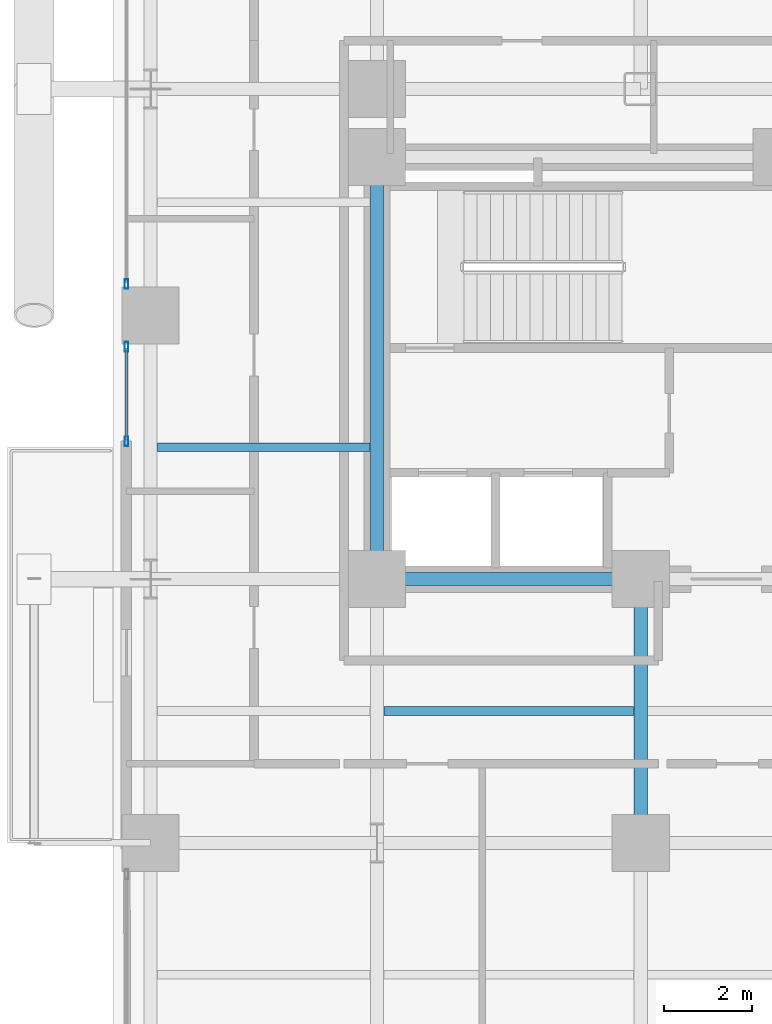
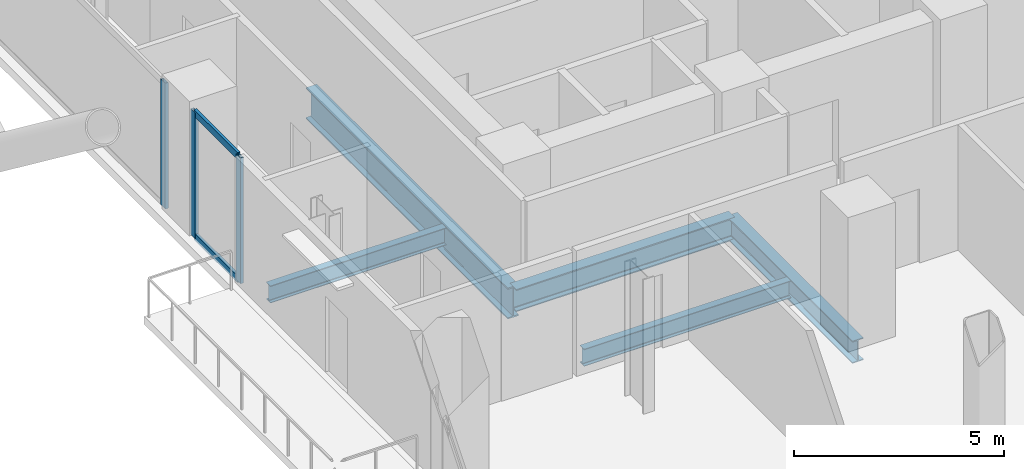
# One storey, part 5 of 25: 5 beams, 5 members, 2 elements without a shape of their own.
"""IFC4 building model written with IfcOpenShell, lengths in metres."""

from ifc_helpers import new_model, si_unit, direction, frame, origin, origin_2d, place, context, subcontext, project, spatial, hollow_rectangle, i_section, extrude, material, layer, layer_set, material_profile, profile_set, type_object, element, aggregate, save


model = new_model("IFC4")

# Units and contexts
model_context = context("Model", 3, precision=1e-05, world=origin(), true_north=direction((0.0, 1.0)))
body_context = subcontext(model_context, "Body", "Model", "MODEL_VIEW")
ifc_project = project(units=[si_unit("LENGTHUNIT", "METRE"), si_unit("AREAUNIT", "SQUARE_METRE"), si_unit("VOLUMEUNIT", "CUBIC_METRE"), si_unit("PLANEANGLEUNIT", "RADIAN"), si_unit("MASSUNIT", "GRAM", prefix="KILO"), si_unit("THERMODYNAMICTEMPERATUREUNIT", "KELVIN"), si_unit("POWERUNIT", "WATT")], contexts=[model_context])

# Site, building, storey
site_placement = place(None, origin())
site = spatial("IfcSite", under=ifc_project, at=site_placement, CompositionType="ELEMENT")
building_placement = place(site_placement, origin())
building = spatial("IfcBuilding", under=site, at=building_placement, Name="Svarakhadi Broadcast Tower", CompositionType="ELEMENT")
storey_placement = place(building_placement, frame((0.0, 0.0, 63.60009765625)))
storey = spatial("IfcBuildingStorey", under=building, at=storey_placement, Name="L14", CompositionType="ELEMENT", Elevation=63.60009765625)

# Beams
ifc_material_1 = material(Name="Steel S355J2 (IS 2062 E350C)", Category="steel")
ifc_material_profile_1 = material_profile(ifc_material_1, i_section(OverallWidth=0.199951171875, OverallDepth=0.5, WebThickness=0.01025390625, FlangeThickness=0.01611328125, FilletRadius=0.02099609375, at=origin_2d()), Name="NPB 500x200x91")
ifc_profile_set_1 = profile_set([ifc_material_profile_1], Name="Steel S355J2 (IS 2062 E350C)")
beam_type_1 = type_object("IfcBeamType", Name="Beam_NPB500", PredefinedType="BEAM", material=ifc_profile_set_1)
beam_1_placement = place(storey_placement, frame((1.010009765625, 21.0, -0.5), z_axis=(1.0, 0.0, 0.0), x_axis=(0.0, 1.0, 0.0)))
element("IfcBeam", 1, at=beam_1_placement, inside=storey, type_object=beam_type_1, Name="L14 Secondary Composite Beam SB003", PredefinedType="BEAM", context=body_context, shape_type="SweptSolid", body=[
    extrude(i_section(OverallWidth=0.199951171875, OverallDepth=0.5, WebThickness=0.01025390625, FlangeThickness=0.01611328125, FilletRadius=0.02099609375, at=origin_2d()), origin(), (0.0, 0.0, 1.0), 4.830078125),
])
beam_2_placement = place(storey_placement, frame((6.159912109375, 15.0, -0.5), z_axis=(1.0, 0.0, 0.0), x_axis=(0.0, 1.0, 0.0)))
element("IfcBeam", 2, at=beam_2_placement, inside=storey, type_object=beam_type_1, Name="L14 Secondary Composite Beam SB009", PredefinedType="BEAM", context=body_context, shape_type="SweptSolid", body=[
    extrude(i_section(OverallWidth=0.199951171875, OverallDepth=0.5, WebThickness=0.01025390625, FlangeThickness=0.01611328125, FilletRadius=0.02099609375, at=origin_2d()), origin(), (0.0, 0.0, 1.0), 5.68017578125),
])

# Curtain wall, members
ifc_material_2 = material(Name="Anodised Bronze Aluminium AA 6063-T6", Category="aluminium")
ifc_layer = layer(ifc_material_2, 0.219970703125)
ifc_layer_set = layer_set([ifc_layer], Name="Anodised Bronze Aluminium AA 6063-T6")
curtain_wall_type = type_object("IfcCurtainWallType", Name="CW_Sys_02", PredefinedType="NOTDEFINED", material=ifc_layer_set)
curtain_wall_1_placement = place(storey_placement, origin())
curtain_wall_1 = element("IfcCurtainWall", 3, at=curtain_wall_1_placement, inside=storey, type_object=curtain_wall_type, Name="L14 West Curtain Wall 03 Bay 1", PredefinedType="NOTDEFINED")
ifc_material_profile_2 = material_profile(ifc_material_2, hollow_rectangle(XDim=0.0849609375, YDim=0.219970703125, WallThickness=0.006103515625, at=origin_2d()), Name="ALU MULLION 220x85x6")
ifc_profile_set_2 = profile_set([ifc_material_profile_2], Name="Anodised Bronze Aluminium AA 6063-T6")
member_type_1 = type_object("IfcMemberType", Name="CW_Sys_02_Mul", PredefinedType="MULLION", material=ifc_profile_set_2)
member_1_placement = place(storey_placement, frame((0.300048828125, 21.132568359375, 0.0), z_axis=(0.0, 0.0, 1.0), x_axis=(-1.0, 0.0, 0.0)))
member_1 = element("IfcMember", 4, at=member_1_placement, type_object=member_type_1, Name="CW-02 mullion 1", PredefinedType="MULLION", context=body_context, shape_type="SweptSolid", body=[
    extrude(hollow_rectangle(XDim=0.0849609375, YDim=0.219970703125, WallThickness=0.006103515625, at=origin_2d()), origin(), (0.0, 0.0, 1.0), 3.64990234375),
])
member_2_placement = place(storey_placement, frame((0.300048828125, 23.28759765625, 0.0), z_axis=(0.0, 0.0, 1.0), x_axis=(-1.0, 0.0, 0.0)))
member_2 = element("IfcMember", 5, at=member_2_placement, type_object=member_type_1, Name="CW-02 mullion 2", PredefinedType="MULLION", context=body_context, shape_type="SweptSolid", body=[
    extrude(hollow_rectangle(XDim=0.0849609375, YDim=0.219970703125, WallThickness=0.006103515625, at=origin_2d()), origin(), (0.0, 0.0, 1.0), 3.64990234375),
])

# Curtain wall, member
curtain_wall_2_placement = place(storey_placement, origin())
curtain_wall_2 = element("IfcCurtainWall", 6, at=curtain_wall_2_placement, inside=storey, type_object=curtain_wall_type, Name="L14 West Curtain Wall 03 Bay 2", PredefinedType="NOTDEFINED")
member_3_placement = place(storey_placement, frame((0.300048828125, 24.71240234375, 0.0), z_axis=(0.0, 0.0, 1.0), x_axis=(-1.0, 0.0, 0.0)))
member_3 = element("IfcMember", 7, at=member_3_placement, type_object=member_type_1, Name="CW-02 mullion 1", PredefinedType="MULLION", context=body_context, shape_type="SweptSolid", body=[
    extrude(hollow_rectangle(XDim=0.0849609375, YDim=0.219970703125, WallThickness=0.006103515625, at=origin_2d()), origin(), (0.0, 0.0, 1.0), 3.64990234375),
])
aggregate(curtain_wall_2, [member_3])

# Member
ifc_material_profile_3 = material_profile(ifc_material_2, hollow_rectangle(XDim=0.074951171875, YDim=0.199951171875, WallThickness=0.0048828125, at=origin_2d()), Name="ALU TRANSOM 200x75x5")
ifc_profile_set_3 = profile_set([ifc_material_profile_3], Name="Anodised Bronze Aluminium AA 6063-T6")
member_type_2 = type_object("IfcMemberType", Name="CW_Sys_02_Trn", PredefinedType="USERDEFINED", material=ifc_profile_set_3)
member_4_placement = place(storey_placement, frame((0.300048828125, 21.175048828125, 0.037353515625), z_axis=(0.0, 1.0, 0.0), x_axis=(-1.0, 0.0, 0.0)))
member_4 = element("IfcMember", 8, at=member_4_placement, type_object=member_type_2, Name="CW-02 transom 1.1", ObjectType="TRANSOM", PredefinedType="USERDEFINED", context=body_context, shape_type="SweptSolid", body=[
    extrude(hollow_rectangle(XDim=0.074951171875, YDim=0.199951171875, WallThickness=0.0048828125, at=origin_2d()), origin(), (0.0, 0.0, 1.0), 2.070068359375),
])

member_5_placement = place(storey_placement, frame((0.300048828125, 21.175048828125, 3.6123046875), z_axis=(0.0, 1.0, 0.0), x_axis=(-1.0, 0.0, 0.0)))
member_5 = element("IfcMember", 9, at=member_5_placement, type_object=member_type_2, Name="CW-02 transom 1.2", ObjectType="TRANSOM", PredefinedType="USERDEFINED", context=body_context, shape_type="SweptSolid", body=[
    extrude(hollow_rectangle(XDim=0.074951171875, YDim=0.199951171875, WallThickness=0.0048828125, at=origin_2d()), origin(), (0.0, 0.0, 1.0), 2.070068359375),
])

aggregate(curtain_wall_1, [member_1, member_2, member_4, member_5])

# Beams
ifc_material_profile_4 = material_profile(ifc_material_1, i_section(OverallWidth=0.300048828125, OverallDepth=0.64990234375, WebThickness=0.01611328125, FlangeThickness=0.031005859375, FilletRadius=0.027099609375, at=origin_2d()), Name="WPB 650x300x225")
ifc_profile_set_4 = profile_set([ifc_material_profile_4], Name="Steel S355J2 (IS 2062 E350C)")
beam_type_2 = type_object("IfcBeamType", Name="Girder_WPB650", PredefinedType="USERDEFINED", material=ifc_profile_set_4)
for number, where, z_axis, x_axis, name in (
    (10, (6.0, 18.0, -0.5751953125), (1.0, 0.0, 0.0), (0.0, 1.0, 0.0), "L14 Primary E-W Girder G026"),
    (11, (12.0, 12.0, -0.5751953125), (0.0, 1.0, 0.0), (-1.0, 0.0, 0.0), "L14 Primary N-S Girder G060"),
):
    element("IfcBeam", number, at=place(storey_placement, frame(where, z_axis=z_axis, x_axis=x_axis)), inside=storey, type_object=beam_type_2, Name=name, ObjectType="GIRDER", PredefinedType="USERDEFINED", context=body_context, shape_type="SweptSolid", body=[
        extrude(i_section(OverallWidth=0.300048828125, OverallDepth=0.64990234375, WebThickness=0.01611328125, FlangeThickness=0.031005859375, FilletRadius=0.027099609375, at=origin_2d()), origin(), (0.0, 0.0, 1.0), 6.0),
    ])
ifc_material_3 = material(Name="Steel S460ML (IS 2062 E450BR)", Category="steel")
ifc_material_profile_5 = material_profile(ifc_material_3, i_section(OverallWidth=0.300048828125, OverallDepth=0.89990234375, WebThickness=0.0185546875, FlangeThickness=0.034912109375, FilletRadius=0.030029296875, at=origin_2d()), Name="WPB 900x300x291")
ifc_profile_set_5 = profile_set([ifc_material_profile_5], Name="Steel S460ML (IS 2062 E450BR)")
beam_type_3 = type_object("IfcBeamType", Name="Girder_WPB900", PredefinedType="USERDEFINED", material=ifc_profile_set_5)
beam_3_placement = place(storey_placement, frame((6.0, 18.0, -0.7001953125), z_axis=(0.0, 1.0, 0.0), x_axis=(-1.0, 0.0, 0.0)))
element("IfcBeam", 12, at=beam_3_placement, inside=storey, type_object=beam_type_3, Name="L14 Primary N-S Girder G054", ObjectType="GIRDER", PredefinedType="USERDEFINED", context=body_context, shape_type="SweptSolid", body=[
    extrude(i_section(OverallWidth=0.300048828125, OverallDepth=0.89990234375, WebThickness=0.0185546875, FlangeThickness=0.034912109375, FilletRadius=0.030029296875, at=origin_2d()), origin(), (0.0, 0.0, 1.0), 9.60009765625),
])

save(model, "model.ifc")
